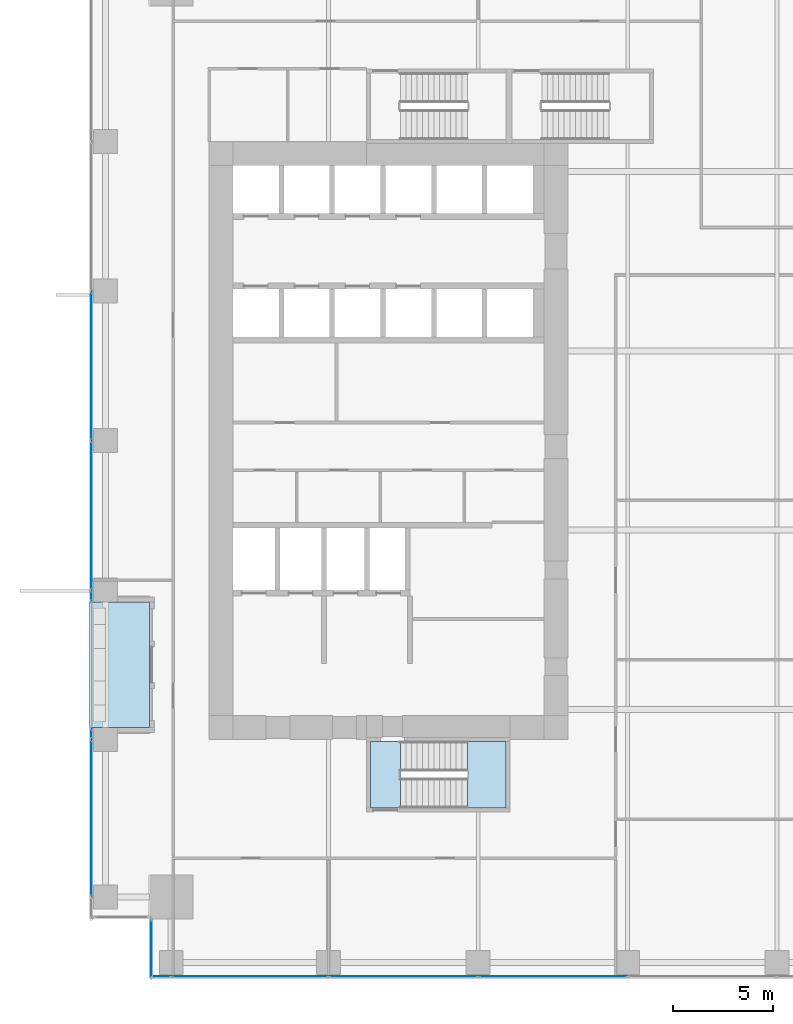
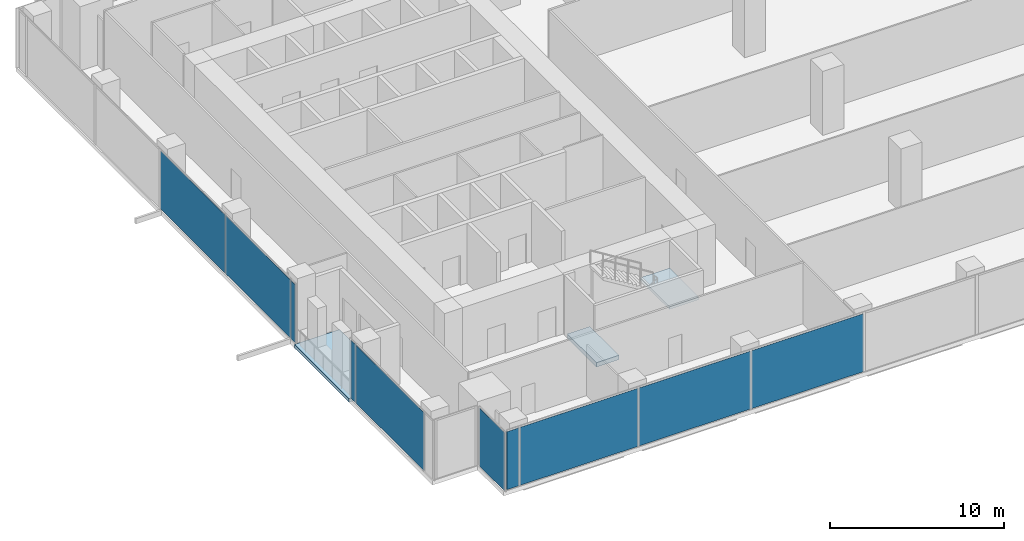
# One storey, part 22 of 33: 10 plates, 3 slabs, 5 elements without a shape of their own.
"""IFC4 building model written with IfcOpenShell, lengths in metres."""

from ifc_helpers import new_model, si_unit, direction, frame, origin, origin_2d, place, context, subcontext, project, spatial, polyline, rectangle, outline, extrude, source, transform, mapped, material, layer, layer_set, type_object, element, aggregate, save


model = new_model("IFC4")

# Units and contexts
model_context = context("Model", 3, precision=1e-05, world=origin(), true_north=direction((0.0, 1.0)))
body_context = subcontext(model_context, "Body", "Model", "MODEL_VIEW")
ifc_project = project(units=[si_unit("LENGTHUNIT", "METRE"), si_unit("AREAUNIT", "SQUARE_METRE"), si_unit("VOLUMEUNIT", "CUBIC_METRE"), si_unit("PLANEANGLEUNIT", "RADIAN"), si_unit("MASSUNIT", "GRAM", prefix="KILO")], contexts=[model_context])

# Site, building, storey
site_placement = place(None, origin())
site = spatial("IfcSite", under=ifc_project, at=site_placement, CompositionType="ELEMENT")
building_placement = place(site_placement, origin())
building = spatial("IfcBuilding", under=site, at=building_placement, Name="Khomas Fold Tower", CompositionType="ELEMENT")
storey_placement = place(building_placement, frame((0.0, 0.0, 91.5)))
storey = spatial("IfcBuildingStorey", under=building, at=storey_placement, Name="L19", CompositionType="ELEMENT", Elevation=91.5)

# Curtain wall, plates
ifc_material_1 = material(Name="Aluminium framed double glazing", Category="aluminium")
curtain_wall_type = type_object("IfcCurtainWallType", Name="SK-Unitised clear-glass wall, growing floors CW1", PredefinedType="NOTDEFINED", material=ifc_material_1)
curtain_wall_1_placement = place(storey_placement, origin())
curtain_wall_1 = element("IfcCurtainWall", 1, at=curtain_wall_1_placement, inside=storey, type_object=curtain_wall_type, Name="CW1 run L19 00-0", PredefinedType="NOTDEFINED")
ifc_material_2 = material(Name="Clear double glazed unit")
ifc_layer_1 = layer(ifc_material_2, 0.031982421875)
ifc_layer_set_1 = layer_set([ifc_layer_1], Name="Clear double glazed unit")
plate_type = type_object("IfcPlateType", Name="SK-Unitised clear-glass wall, growing floors glass panel CW1-P", PredefinedType="CURTAIN_PANEL", material=ifc_layer_set_1)
shared_shape_1 = source(origin(), body_context, "Body", "SweptSolid", [
    extrude(rectangle(XDim=0.81005859375, YDim=0.031982421875, at=origin_2d()), origin(), (0.0, 0.0, 1.0), 4.080078125),
])
plate_1_placement = place(storey_placement, frame((3.6650390625, 0.10009765625, 0.0), z_axis=(0.0, 0.0, 1.0), x_axis=(1.0, 0.0, 0.0)))
plate_1 = element("IfcPlate", 2, at=plate_1_placement, type_object=plate_type, Name="CW1 glass panel 1", PredefinedType="CURTAIN_PANEL", context=body_context, shape_type="MappedRepresentation", body=[
    mapped(shared_shape_1, transform((0.0, 0.0, 0.0))),
])
shared_shape_2 = source(origin(), body_context, "Body", "SweptSolid", [
    extrude(rectangle(XDim=7.840087890625, YDim=0.031982421875, at=origin_2d()), origin(), (0.0, 0.0, 1.0), 4.080078125),
])
plate_2_placement = place(storey_placement, frame((8.050048828125, 0.10009765625, 0.0), z_axis=(0.0, 0.0, 1.0), x_axis=(1.0, 0.0, 0.0)))
plate_2 = element("IfcPlate", 3, at=plate_2_placement, type_object=plate_type, Name="CW1 glass panel 2", PredefinedType="CURTAIN_PANEL", context=body_context, shape_type="MappedRepresentation", body=[
    mapped(shared_shape_2, transform((0.0, 0.0, 0.0))),
])

# Curtain wall, plate
curtain_wall_2_placement = place(storey_placement, origin())
curtain_wall_2 = element("IfcCurtainWall", 4, at=curtain_wall_2_placement, inside=storey, type_object=curtain_wall_type, Name="CW1 run L19 09-1", PredefinedType="NOTDEFINED")
plate_3_placement = place(storey_placement, frame((0.10009765625, 8.050048828125, 0.0), z_axis=(0.0, 0.0, 1.0), x_axis=(0.0, -1.0, 0.0)))
plate_3 = element("IfcPlate", 5, at=plate_3_placement, type_object=plate_type, Name="CW1 glass panel 2", PredefinedType="CURTAIN_PANEL", context=body_context, shape_type="MappedRepresentation", body=[
    mapped(shared_shape_2, transform((0.0, 0.0, 0.0))),
])

# Plate
shared_shape_3 = source(origin(), body_context, "Body", "SweptSolid", [
    extrude(rectangle(XDim=7.43994140625, YDim=0.031982421875, at=origin_2d()), origin(), (0.0, 0.0, 1.0), 4.080078125),
])
plate_4_placement = place(storey_placement, frame((15.75, 0.10009765625, 0.0), z_axis=(0.0, 0.0, 1.0), x_axis=(1.0, 0.0, 0.0)))
plate_4 = element("IfcPlate", 6, at=plate_4_placement, type_object=plate_type, Name="CW1 glass panel 3", PredefinedType="CURTAIN_PANEL", context=body_context, shape_type="MappedRepresentation", body=[
    mapped(shared_shape_3, transform((0.0, 0.0, 0.0))),
])

plate_5_placement = place(storey_placement, frame((23.25, 0.10009765625, 0.0), z_axis=(0.0, 0.0, 1.0), x_axis=(1.0, 0.0, 0.0)))
plate_5 = element("IfcPlate", 7, at=plate_5_placement, type_object=plate_type, Name="CW1 glass panel 4", PredefinedType="CURTAIN_PANEL", context=body_context, shape_type="MappedRepresentation", body=[
    mapped(shared_shape_3, transform((0.0, 0.0, 0.0))),
])

aggregate(curtain_wall_1, [plate_1, plate_2, plate_4, plate_5])

# Curtain wall, plates
curtain_wall_3_placement = place(storey_placement, origin())
curtain_wall_3 = element("IfcCurtainWall", 8, at=curtain_wall_3_placement, inside=storey, type_object=curtain_wall_type, Name="CW1 run L19 09-0", PredefinedType="NOTDEFINED")
plate_6_placement = place(storey_placement, frame((0.10009765625, 30.75, 0.0), z_axis=(0.0, 0.0, 1.0), x_axis=(0.0, -1.0, 0.0)))
plate_6 = element("IfcPlate", 9, at=plate_6_placement, type_object=plate_type, Name="CW1 glass panel 4", PredefinedType="CURTAIN_PANEL", context=body_context, shape_type="MappedRepresentation", body=[
    mapped(shared_shape_3, transform((0.0, 0.0, 0.0))),
])
plate_7_placement = place(storey_placement, frame((0.10009765625, 23.25, 0.0), z_axis=(0.0, 0.0, 1.0), x_axis=(0.0, -1.0, 0.0)))
plate_7 = element("IfcPlate", 10, at=plate_7_placement, type_object=plate_type, Name="CW1 glass panel 5", PredefinedType="CURTAIN_PANEL", context=body_context, shape_type="MappedRepresentation", body=[
    mapped(shared_shape_3, transform((0.0, 0.0, 0.0))),
])

# Curtain wall, plate
curtain_wall_4_placement = place(storey_placement, origin())
curtain_wall_4 = element("IfcCurtainWall", 11, at=curtain_wall_4_placement, inside=storey, type_object=curtain_wall_type, Name="CW1 corner return L19 11", PredefinedType="NOTDEFINED")
shared_shape_4 = source(origin(), body_context, "Body", "SweptSolid", [
    extrude(rectangle(XDim=2.8798828125, YDim=0.031982421875, at=origin_2d()), origin(), (0.0, 0.0, 1.0), 4.080078125),
])
plate_8_placement = place(storey_placement, frame((3.10009765625, 1.5, 0.0), z_axis=(0.0, 0.0, 1.0), x_axis=(0.0, -1.0, 0.0)))
plate_8 = element("IfcPlate", 12, at=plate_8_placement, type_object=plate_type, Name="CW1 glass panel 1", PredefinedType="CURTAIN_PANEL", context=body_context, shape_type="MappedRepresentation", body=[
    mapped(shared_shape_4, transform((0.0, 0.0, 0.0))),
])
aggregate(curtain_wall_4, [plate_8])

# Plate
shared_shape_5 = source(origin(), body_context, "Body", "SweptSolid", [
    extrude(rectangle(XDim=0.510009765625, YDim=0.031982421875, at=origin_2d()), origin(), (0.0, 0.0, 1.0), 4.080078125),
])
plate_9_placement = place(storey_placement, frame((0.10009765625, 19.215087890625, 0.0), z_axis=(0.0, 0.0, 1.0), x_axis=(0.0, -1.0, 0.0)))
plate_9 = element("IfcPlate", 13, at=plate_9_placement, type_object=plate_type, Name="CW1 glass panel 6", PredefinedType="CURTAIN_PANEL", context=body_context, shape_type="MappedRepresentation", body=[
    mapped(shared_shape_5, transform((0.0, 0.0, 0.0))),
])

aggregate(curtain_wall_3, [plate_6, plate_7, plate_9])

plate_10_placement = place(storey_placement, frame((0.10009765625, 12.284912109375, 0.0), z_axis=(0.0, 0.0, 1.0), x_axis=(0.0, -1.0, 0.0)))
plate_10 = element("IfcPlate", 14, at=plate_10_placement, type_object=plate_type, Name="CW1 glass panel 1", PredefinedType="CURTAIN_PANEL", context=body_context, shape_type="MappedRepresentation", body=[
    mapped(shared_shape_5, transform((0.0, 0.0, 0.0))),
])

aggregate(curtain_wall_2, [plate_10, plate_3])

# Slab
ifc_material_3 = material(Name="Concrete C40/50", Category="concrete")
ifc_layer_2 = layer(ifc_material_3, 0.2548828125)
ifc_layer_set_2 = layer_set([ifc_layer_2], Name="Concrete C40/50")
slab_type_1 = type_object("IfcSlabType", Name="BL-Balcony deck 255", PredefinedType="FLOOR", material=ifc_layer_set_2)
shared_shape_6 = source(origin(), body_context, "Body", "SweptSolid", [
    extrude(outline(polyline([(0.0, 12.60009765625), (3.0, 12.60009765625), (3.0, 18.89990234375), (0.0, 18.89990234375), (0.0, 12.60009765625)])), origin(), (0.0, 0.0, 1.0), 0.255126953125),
])
slab_1_placement = place(storey_placement, frame((0.0, 0.0, -0.300048828125)))
element("IfcSlab", 15, at=slab_1_placement, inside=storey, type_object=slab_type_1, Name="Balcony deck BAL-L19-W1", PredefinedType="FLOOR", context=body_context, shape_type="MappedRepresentation", body=[
    mapped(shared_shape_6, transform((0.0, 0.0, 0.0))),
])

# Stair, slab
ifc_material_4 = material(Name="Concrete C40/50", Category="concrete")
stair_type = type_object("IfcStairType", Name="Stair ST2", PredefinedType="HALF_TURN_STAIR", material=ifc_material_4)
stair_placement = place(storey_placement, origin())
stair = element("IfcStair", 16, at=stair_placement, inside=storey, type_object=stair_type, Name="L19 ST2", PredefinedType="HALF_TURN_STAIR")
ifc_material_5 = material(Name="Concrete C40/50", Category="concrete")
ifc_layer_3 = layer(ifc_material_5, 0.199951171875)
ifc_layer_set_3 = layer_set([ifc_layer_3], Name="Concrete C40/50")
slab_type_2 = type_object("IfcSlabType", Name="Stair landing 200", PredefinedType="LANDING", material=ifc_layer_set_3)
shared_shape_7 = source(origin(), body_context, "Body", "SweptSolid", [
    extrude(outline(polyline([(18.9599609375, 8.550048828125), (20.89990234375, 8.550048828125), (20.89990234375, 11.89990234375), (18.9599609375, 11.89990234375), (18.9599609375, 8.550048828125)])), origin(), (0.0, 0.0, 1.0), 0.199951171875),
])
slab_2_placement = place(storey_placement, frame((0.0, 0.0, 2.050048828125)))
slab_2 = element("IfcSlab", 17, at=slab_2_placement, type_object=slab_type_2, Name="ST2 landing 1", PredefinedType="LANDING", context=body_context, shape_type="MappedRepresentation", body=[
    mapped(shared_shape_7, transform((0.0, 0.0, 0.0))),
])
aggregate(stair, [slab_2])

# Slab
ifc_material_6 = material(Name="Concrete C40/50", Category="concrete")
ifc_layer_4 = layer(ifc_material_6, 0.300048828125)
ifc_layer_set_4 = layer_set([ifc_layer_4], Name="Concrete C40/50")
slab_type_3 = type_object("IfcSlabType", Name="Stair floor landing 300", PredefinedType="LANDING", material=ifc_layer_set_4)
shared_shape_8 = source(origin(), body_context, "Body", "SweptSolid", [
    extrude(outline(polyline([(15.60009765625, 8.550048828125), (14.10009765625, 8.550048828125), (14.10009765625, 11.89990234375), (15.60009765625, 11.89990234375), (15.60009765625, 8.550048828125)])), origin(), (0.0, 0.0, 1.0), 0.300048828125),
])
slab_3_placement = place(storey_placement, frame((0.0, 0.0, -0.300048828125)))
element("IfcSlab", 18, at=slab_3_placement, inside=storey, type_object=slab_type_3, Name="ST2 floor landing", PredefinedType="LANDING", context=body_context, shape_type="MappedRepresentation", body=[
    mapped(shared_shape_8, transform((0.0, 0.0, 0.0))),
])

save(model, "model.ifc")
